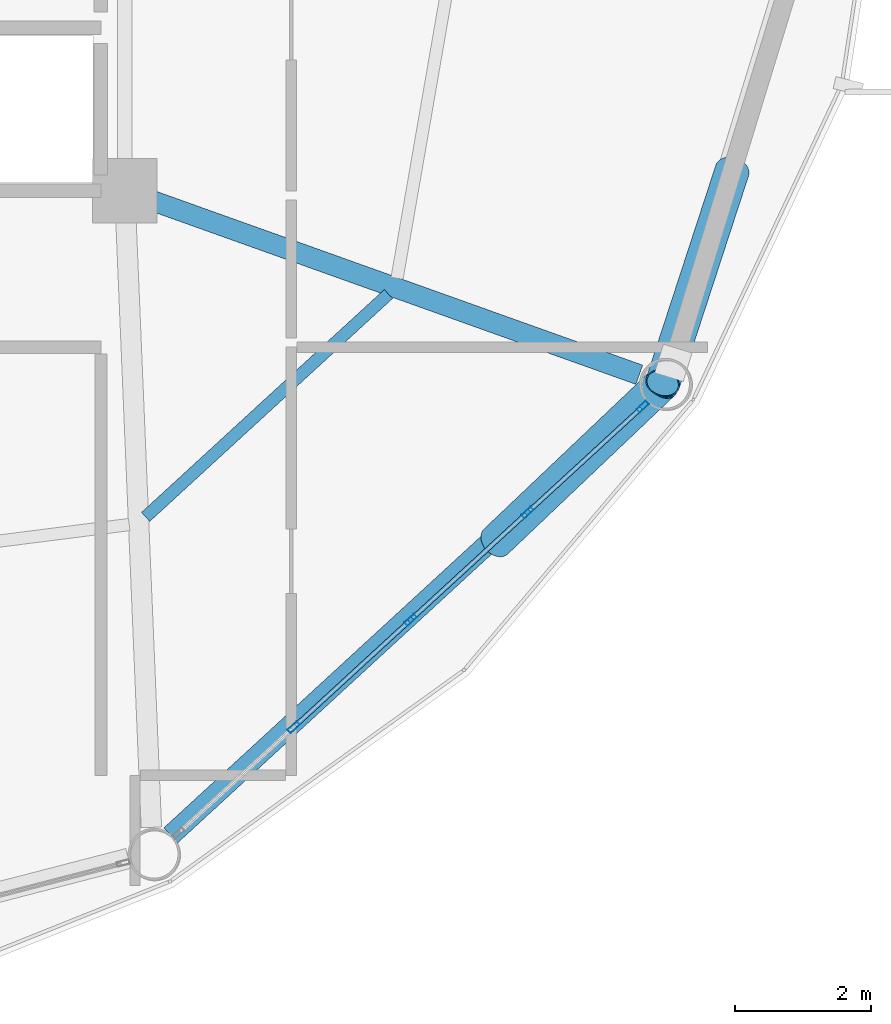
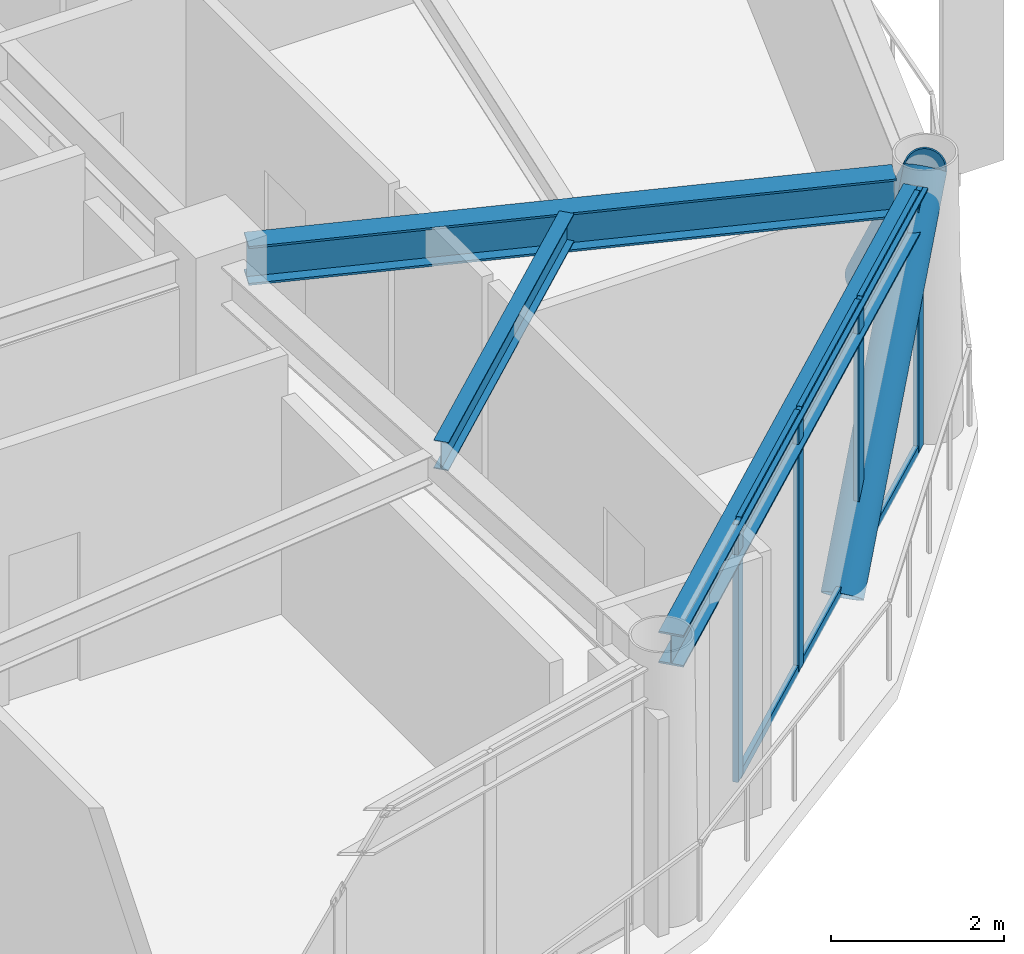
# One storey, part 13 of 26: 12 members, 3 beams, 1 element without a shape of its own.
"""IFC4 building model written with IfcOpenShell, lengths in metres."""

from ifc_helpers import new_model, si_unit, direction, frame, origin, origin_2d, place, context, subcontext, project, spatial, hollow_rectangle, hollow_circle, i_section, extrude, material, layer, layer_set, material_profile, profile_set, type_object, element, aggregate, save


model = new_model("IFC4")

# Units and contexts
model_context = context("Model", 3, precision=1e-05, world=origin(), true_north=direction((0.0, 1.0)))
body_context = subcontext(model_context, "Body", "Model", "MODEL_VIEW")
ifc_project = project(units=[si_unit("LENGTHUNIT", "METRE"), si_unit("AREAUNIT", "SQUARE_METRE"), si_unit("VOLUMEUNIT", "CUBIC_METRE"), si_unit("PLANEANGLEUNIT", "RADIAN"), si_unit("MASSUNIT", "GRAM", prefix="KILO")], contexts=[model_context])

# Site, building, storey
site_placement = place(None, origin())
site = spatial("IfcSite", under=ifc_project, at=site_placement, CompositionType="ELEMENT")
building_placement = place(site_placement, origin())
building = spatial("IfcBuilding", under=site, at=building_placement, Name="Varnakorn Sky Granary", CompositionType="ELEMENT")
storey_placement = place(building_placement, frame((0.0, 0.0, 153.89990234375)))
storey = spatial("IfcBuildingStorey", under=building, at=storey_placement, Name="L38", CompositionType="ELEMENT", Elevation=153.89990234375)

# Beams
ifc_material_1 = material(Name="Steel S355JR", Category="steel")
ifc_material_profile_1 = material_profile(ifc_material_1, i_section(OverallWidth=0.300048828125, OverallDepth=0.550048828125, WebThickness=0.014892578125, FlangeThickness=0.029052734375, at=origin_2d()), Name="HE 550 B")
ifc_profile_set_1 = profile_set([ifc_material_profile_1], Name="Steel S355JR")
beam_type_1 = type_object("IfcBeamType", Name="BM-RAD-Z3", PredefinedType="BEAM", material=ifc_profile_set_1)
beam_1_placement = place(storey_placement, frame((8.74560546875, -6.7412109375, 3.364990234375), z_axis=(0.941669409842, -0.33653933287, 0.0), x_axis=(0.33653933287, 0.941669409842, 0.0)))
element("IfcBeam", 1, at=beam_1_placement, inside=storey, type_object=beam_type_1, Name="Radial Floor Girder RG12 L38", PredefinedType="BEAM", context=body_context, shape_type="SweptSolid", body=[
    extrude(i_section(OverallWidth=0.300048828125, OverallDepth=0.550048828125, WebThickness=0.014892578125, FlangeThickness=0.029052734375, at=origin_2d()), origin(), (0.0, 0.0, 1.0), 7.620849609375),
])
ifc_material_profile_2 = material_profile(ifc_material_1, i_section(OverallWidth=0.179931640625, OverallDepth=0.39990234375, WebThickness=0.008544921875, FlangeThickness=0.013427734375, at=origin_2d()), Name="IPE 400")
ifc_profile_set_2 = profile_set([ifc_material_profile_2], Name="Steel S355JR")
beam_type_2 = type_object("IfcBeamType", Name="BM-SEC-Z3", PredefinedType="BEAM", material=ifc_profile_set_2)
beam_2_placement = place(storey_placement, frame((8.657958984375, -11.39794921875, 3.440185546875), z_axis=(0.736641968685, 0.67628293633, 0.0), x_axis=(-0.67628293633, 0.736641968685, 0.0)))
element("IfcBeam", 2, at=beam_2_placement, inside=storey, type_object=beam_type_2, Name="Secondary Floor Chord Beam MSB11 L38", PredefinedType="BEAM", context=body_context, shape_type="SweptSolid", body=[
    extrude(i_section(OverallWidth=0.179931640625, OverallDepth=0.39990234375, WebThickness=0.008544921875, FlangeThickness=0.013427734375, at=origin_2d()), origin(), (0.0, 0.0, 1.0), 4.849609375),
])
ifc_material_profile_3 = material_profile(ifc_material_1, i_section(OverallWidth=0.300048828125, OverallDepth=0.449951171875, WebThickness=0.013916015625, FlangeThickness=0.02587890625, at=origin_2d()), Name="HE 450 B")
ifc_profile_set_3 = profile_set([ifc_material_profile_3], Name="Steel S355JR")
beam_type_3 = type_object("IfcBeamType", Name="BM-SPD-Z3", PredefinedType="SPANDREL", material=ifc_profile_set_3)
beam_3_placement = place(storey_placement, frame((9.027099609375, -16.083740234375, 3.4150390625), z_axis=(0.736214657164, 0.67674809093, 0.0), x_axis=(-0.67674809093, 0.736214657164, 0.0)))
element("IfcBeam", 3, at=beam_3_placement, inside=storey, type_object=beam_type_3, Name="Perimeter Spandrel Ring Beam RB11 L38", PredefinedType="SPANDREL", context=body_context, shape_type="SweptSolid", body=[
    extrude(i_section(OverallWidth=0.300048828125, OverallDepth=0.449951171875, WebThickness=0.013916015625, FlangeThickness=0.02587890625, at=origin_2d()), origin(), (0.0, 0.0, 1.0), 9.46728515625),
])

# Curtain wall, members
ifc_material_2 = material(Name="Anodised Bronze Aluminium Alloy 6063-T6", Category="aluminium")
ifc_layer = layer(ifc_material_2, 0.179931640625, Name="Anodised Bronze Aluminium Alloy 6063-T6")
ifc_layer_set = layer_set([ifc_layer], Name="Anodised Bronze Aluminium Alloy 6063-T6")
curtain_wall_type = type_object("IfcCurtainWallType", Name="CW-FRM-2", PredefinedType="USERDEFINED", material=ifc_layer_set)
curtain_wall_placement = place(storey_placement, origin())
curtain_wall = element("IfcCurtainWall", 4, at=curtain_wall_placement, inside=storey, type_object=curtain_wall_type, Name="Unitised Curtain Wall CW4 CW-L38-B11", ObjectType="CURTAIN WALL", PredefinedType="USERDEFINED")
ifc_material_profile_4 = material_profile(ifc_material_2, hollow_rectangle(XDim=0.070068359375, YDim=0.18505859375, WallThickness=0.00390625, at=origin_2d()), Name="ALU MULL 70x185")
ifc_profile_set_4 = profile_set([ifc_material_profile_4], Name="Anodised Bronze Aluminium Alloy 6063-T6")
member_type_1 = type_object("IfcMemberType", Name="CW-FRM-2-MULL", PredefinedType="MULLION", material=ifc_profile_set_4)
member_1_placement = place(storey_placement, frame((15.973876953125, -9.7744140625, 0.0), z_axis=(0.0, 0.0, 1.0), x_axis=(0.676471797865, -0.736468537477, 0.0)))
member_1 = element("IfcMember", 5, at=member_1_placement, type_object=member_type_1, Name="CW4 mullion 1", PredefinedType="MULLION", context=body_context, shape_type="SweptSolid", body=[
    extrude(hollow_rectangle(XDim=0.070068359375, YDim=0.18505859375, WallThickness=0.00390625, at=origin_2d()), origin(), (0.0, 0.0, 1.0), 3.64013671875),
])
member_2_placement = place(storey_placement, frame((14.27880859375, -11.33154296875, 0.0), z_axis=(0.0, 0.0, 1.0), x_axis=(0.676471797865, -0.736468537477, 0.0)))
member_2 = element("IfcMember", 6, at=member_2_placement, type_object=member_type_1, Name="CW4 mullion 2", PredefinedType="MULLION", context=body_context, shape_type="SweptSolid", body=[
    extrude(hollow_rectangle(XDim=0.070068359375, YDim=0.18505859375, WallThickness=0.00390625, at=origin_2d()), origin(), (0.0, 0.0, 1.0), 3.64013671875),
])
member_3_placement = place(storey_placement, frame((12.557861328125, -12.912353515625, 0.0), z_axis=(0.0, 0.0, 1.0), x_axis=(0.676471797865, -0.736468537477, 0.0)))
member_3 = element("IfcMember", 7, at=member_3_placement, type_object=member_type_1, Name="CW4 mullion 3", PredefinedType="MULLION", context=body_context, shape_type="SweptSolid", body=[
    extrude(hollow_rectangle(XDim=0.070068359375, YDim=0.18505859375, WallThickness=0.00390625, at=origin_2d()), origin(), (0.0, 0.0, 1.0), 3.64013671875),
])
member_4_placement = place(storey_placement, frame((10.836669921875, -14.4931640625, 0.0), z_axis=(0.0, 0.0, 1.0), x_axis=(0.676471797865, -0.736468537477, 0.0)))
member_4 = element("IfcMember", 8, at=member_4_placement, type_object=member_type_1, Name="CW4 mullion 4", PredefinedType="MULLION", context=body_context, shape_type="SweptSolid", body=[
    extrude(hollow_rectangle(XDim=0.070068359375, YDim=0.18505859375, WallThickness=0.00390625, at=origin_2d()), origin(), (0.0, 0.0, 1.0), 3.64013671875),
])
ifc_material_profile_5 = material_profile(ifc_material_2, hollow_rectangle(XDim=0.06494140625, YDim=0.1201171875, WallThickness=0.00341796875, at=origin_2d()), Name="ALU TRAN 65x120")
ifc_profile_set_5 = profile_set([ifc_material_profile_5], Name="Anodised Bronze Aluminium Alloy 6063-T6")
member_type_2 = type_object("IfcMemberType", Name="CW-FRM-2-TRAN", PredefinedType="USERDEFINED", material=ifc_profile_set_5)
member_5_placement = place(storey_placement, frame((15.9482421875, -9.798095703125, 0.03271484375), z_axis=(-0.736495410887, -0.676442539867, 0.0), x_axis=(0.676442539867, -0.736495410887, 0.0)))
member_5 = element("IfcMember", 9, at=member_5_placement, type_object=member_type_2, Name="CW4 transom 1.1", ObjectType="TRANSOM", PredefinedType="USERDEFINED", context=body_context, shape_type="SweptSolid", body=[
    extrude(hollow_rectangle(XDim=0.06494140625, YDim=0.1201171875, WallThickness=0.00341796875, at=origin_2d()), origin(), (0.0, 0.0, 1.0), 2.23193359375),
])
member_6_placement = place(storey_placement, frame((15.9482421875, -9.798095703125, 3.607666015625), z_axis=(-0.736495410887, -0.676442539867, 0.0), x_axis=(0.676442539867, -0.736495410887, 0.0)))
member_6 = element("IfcMember", 10, at=member_6_placement, type_object=member_type_2, Name="CW4 transom 1.2", ObjectType="TRANSOM", PredefinedType="USERDEFINED", context=body_context, shape_type="SweptSolid", body=[
    extrude(hollow_rectangle(XDim=0.06494140625, YDim=0.1201171875, WallThickness=0.00341796875, at=origin_2d()), origin(), (0.0, 0.0, 1.0), 2.23193359375),
])
member_7_placement = place(storey_placement, frame((14.2529296875, -11.355224609375, 0.03271484375), z_axis=(-0.736465278556, -0.676475345804, 0.0), x_axis=(0.676475345804, -0.736465278556, 0.0)))
member_7 = element("IfcMember", 11, at=member_7_placement, type_object=member_type_2, Name="CW4 transom 2.1", ObjectType="TRANSOM", PredefinedType="USERDEFINED", context=body_context, shape_type="SweptSolid", body=[
    extrude(hollow_rectangle(XDim=0.06494140625, YDim=0.1201171875, WallThickness=0.00341796875, at=origin_2d()), origin(), (0.0, 0.0, 1.0), 2.266845703125),
])
member_8_placement = place(storey_placement, frame((14.2529296875, -11.355224609375, 3.607666015625), z_axis=(-0.736465278556, -0.676475345804, 0.0), x_axis=(0.676475345804, -0.736465278556, 0.0)))
member_8 = element("IfcMember", 12, at=member_8_placement, type_object=member_type_2, Name="CW4 transom 2.2", ObjectType="TRANSOM", PredefinedType="USERDEFINED", context=body_context, shape_type="SweptSolid", body=[
    extrude(hollow_rectangle(XDim=0.06494140625, YDim=0.1201171875, WallThickness=0.00341796875, at=origin_2d()), origin(), (0.0, 0.0, 1.0), 2.266845703125),
])
member_9_placement = place(storey_placement, frame((12.531982421875, -12.93603515625, 0.03271484375), z_axis=(-0.736465278556, -0.676475345804, 0.0), x_axis=(0.676475345804, -0.736465278556, 0.0)))
member_9 = element("IfcMember", 13, at=member_9_placement, type_object=member_type_2, Name="CW4 transom 3.1", ObjectType="TRANSOM", PredefinedType="USERDEFINED", context=body_context, shape_type="SweptSolid", body=[
    extrude(hollow_rectangle(XDim=0.06494140625, YDim=0.1201171875, WallThickness=0.00341796875, at=origin_2d()), origin(), (0.0, 0.0, 1.0), 2.266845703125),
])
member_10_placement = place(storey_placement, frame((12.531982421875, -12.93603515625, 3.607666015625), z_axis=(-0.736465278556, -0.676475345804, 0.0), x_axis=(0.676475345804, -0.736465278556, 0.0)))
member_10 = element("IfcMember", 14, at=member_10_placement, type_object=member_type_2, Name="CW4 transom 3.2", ObjectType="TRANSOM", PredefinedType="USERDEFINED", context=body_context, shape_type="SweptSolid", body=[
    extrude(hollow_rectangle(XDim=0.06494140625, YDim=0.1201171875, WallThickness=0.00341796875, at=origin_2d()), origin(), (0.0, 0.0, 1.0), 2.266845703125),
])
aggregate(curtain_wall, [member_1, member_2, member_3, member_4, member_5, member_6, member_7, member_8, member_9, member_10])

# Members
ifc_material_3 = material(Name="Steel S460M", Category="steel")
ifc_material_profile_6 = material_profile(ifc_material_3, hollow_circle(Radius=0.25390625, WallThickness=0.01806640625, at=origin_2d()), Name="CHS 508x18")
ifc_profile_set_6 = profile_set([ifc_material_profile_6], Name="Steel S460M")
member_type_3 = type_object("IfcMemberType", Name="MB-DIAG-T2", PredefinedType="BRACE", material=ifc_profile_set_6)
member_11_placement = place(storey_placement, frame((13.813232421875, -11.759033203125, -0.1298828125), z_axis=(0.484309853388, 0.459971463901, 0.744224575184), x_axis=(-0.688652742673, 0.725091304602, 0.0)))
element("IfcMember", 15, at=member_11_placement, inside=storey, type_object=member_type_3, Name="Perimeter CHS Diagrid Brace DG11 L38", PredefinedType="BRACE", context=body_context, shape_type="SweptSolid", body=[
    extrude(hollow_circle(Radius=0.25390625, WallThickness=0.01806640625, at=origin_2d()), origin(), (0.0, 0.0, 1.0), 5.065673828125),
])
member_12_placement = place(storey_placement, frame((17.288818359375, -6.3017578125, -0.1298828125), z_axis=(-0.204290863381, -0.624972932659, 0.753441488494), x_axis=(0.950507547517, -0.310701467832, 0.0)))
element("IfcMember", 16, at=member_12_placement, inside=storey, type_object=member_type_3, Name="Perimeter CHS Diagrid Brace DG12 L38", PredefinedType="BRACE", context=body_context, shape_type="SweptSolid", body=[
    extrude(hollow_circle(Radius=0.25390625, WallThickness=0.01806640625, at=origin_2d()), origin(), (0.0, 0.0, 1.0), 5.003662109375),
])

save(model, "model.ifc")
